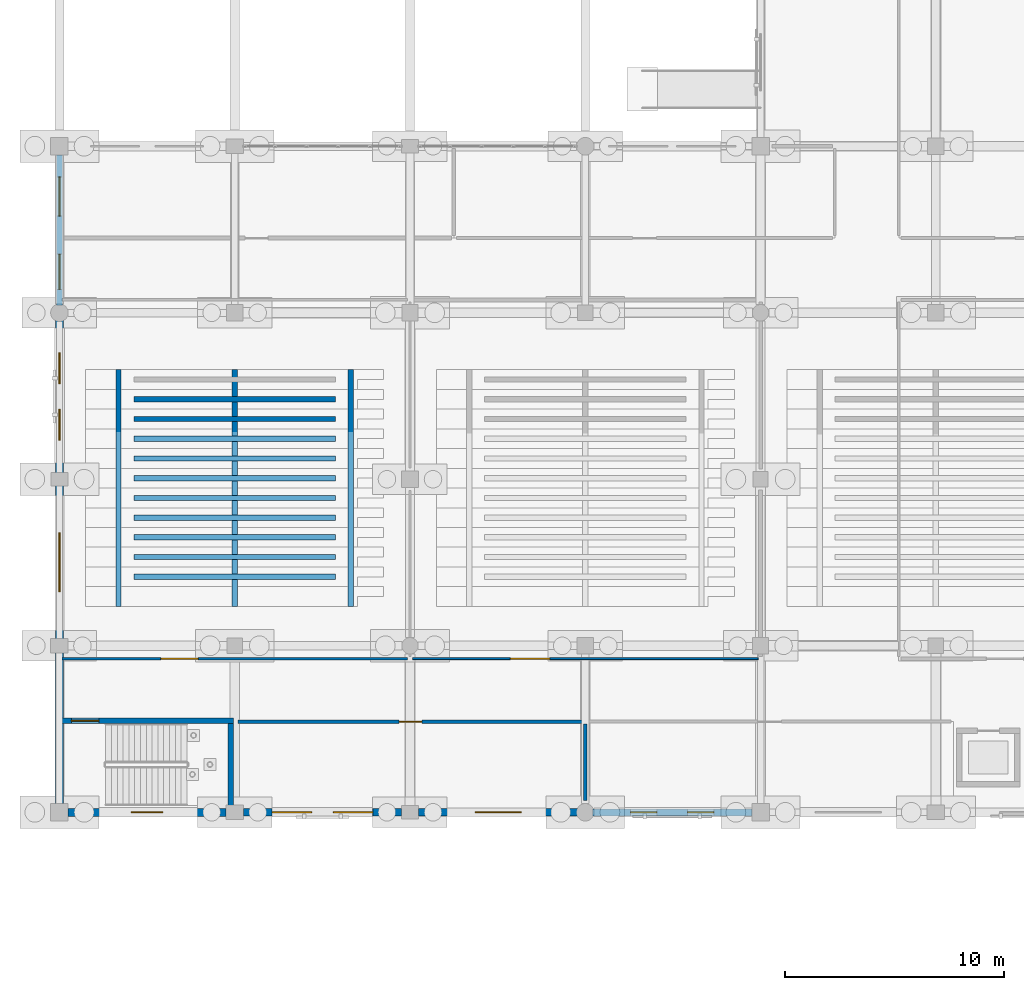
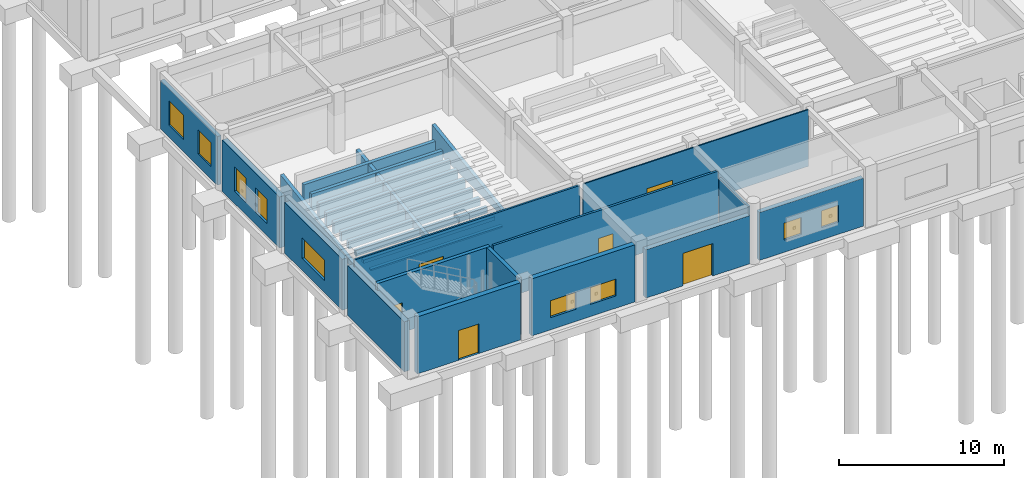
# One storey, part 127 of 166: 27 walls, 9 windows, 6 doors, 15 openings.
"""IFC4 building model written with IfcOpenShell, lengths in metres."""

from ifc_helpers import new_model, si_unit, direction, frame, frame_2d, origin, place, context, subcontext, project, spatial, polyline, rectangle, outline, extrude, material, layer, layer_set, type_object, element, fill, save


model = new_model("IFC4")

# Units and contexts
model_context = context("Model", 3, precision=1e-05, world=origin(), true_north=direction((0.0, 1.0)))
body_context = subcontext(model_context, "Body", "Model", "MODEL_VIEW")
ifc_project = project(units=[si_unit("LENGTHUNIT", "METRE"), si_unit("AREAUNIT", "SQUARE_METRE"), si_unit("VOLUMEUNIT", "CUBIC_METRE"), si_unit("PLANEANGLEUNIT", "RADIAN"), si_unit("MASSUNIT", "GRAM", prefix="KILO")], contexts=[model_context])

# Site, building, storey
site_placement = place(None, origin())
site = spatial("IfcSite", under=ifc_project, at=site_placement, CompositionType="ELEMENT")
building_placement = place(site_placement, origin())
building = spatial("IfcBuilding", under=site, at=building_placement, Name="Kharva Crest Polytechnic", CompositionType="ELEMENT")
storey_placement = place(building_placement, origin())
storey = spatial("IfcBuildingStorey", under=building, at=storey_placement, Name="L00", CompositionType="ELEMENT", Elevation=0.0)

# Wall, openings, windows
ifc_material_1 = material(Name="Kiln brick masonry", Category="masonry")
ifc_layer_1 = layer(ifc_material_1, 0.260009765625, Name="Kiln brick masonry")
ifc_layer_set_1 = layer_set([ifc_layer_1], Name="Kiln brick masonry")
wall_type_1 = type_object("IfcWallType", Name="WL-EXT-BRK-260", PredefinedType="SOLIDWALL", material=ifc_layer_set_1)
wall_1_placement = place(storey_placement, frame((0.0, 30.0048828125, 0.0), z_axis=(0.0, 0.0, 1.0), x_axis=(0.0, -1.0, 0.0)))
wall_1 = element("IfcWall", 1, at=wall_1_placement, inside=storey, type_object=wall_type_1, Name="L00 Exterior Brick Wall 42", PredefinedType="SOLIDWALL", context=body_context, shape_type="SweptSolid", body=[
    extrude(rectangle(XDim=6.868896484375, YDim=0.260009765625, at=frame_2d((3.4345703125, 0.0))), origin(), (0.0, 0.0, 1.0), 3.60009765625),
])
opening_1_placement = place(wall_1_placement, frame((0.998046875, 0.0, 0.89990234375)))
opening_1 = element("IfcOpeningElement", 2, at=opening_1_placement, cuts=wall_1, Name="Opening W05", PredefinedType="OPENING", context=body_context, shape_type="SweptSolid", body=[
    extrude(rectangle(XDim=1.800048828125, YDim=1.800048828125, at=frame_2d((0.89990234375, 0.89990234375))), frame((0.0, 0.139892578125, 0.0), z_axis=(0.0, -1.0, 0.0), x_axis=(1.0, 0.0, 0.0)), (0.0, 0.0, 1.0), 0.280029296875),
])
opening_2_placement = place(wall_1_placement, frame((4.531982421875, 0.0, 0.89990234375)))
opening_2 = element("IfcOpeningElement", 3, at=opening_2_placement, cuts=wall_1, Name="Opening W06", PredefinedType="OPENING", context=body_context, shape_type="SweptSolid", body=[
    extrude(rectangle(XDim=1.60009765625, YDim=1.800048828125, at=frame_2d((0.800048828125, 0.89990234375))), frame((0.0, 0.139892578125, 0.0), z_axis=(0.0, -1.0, 0.0), x_axis=(1.0, 0.0, 0.0)), (0.0, 0.0, 1.0), 0.280029296875),
])
ifc_material_2 = material(Name="Anodised aluminium", Category="aluminium")
window_type_1 = type_object("IfcWindowType", Name="WIN-ALU-1600X1800", PartitioningType="SINGLE_PANEL", PredefinedType="WINDOW", material=ifc_material_2)
window_1_placement = place(opening_2_placement, origin())
window_1 = element("IfcWindow", 4, at=window_1_placement, inside=storey, type_object=window_type_1, Name="L00 Exterior Window 53", OverallHeight=1.800048828125, OverallWidth=1.60009765625, PartitioningType="SINGLE_PANEL", PredefinedType="WINDOW", context=body_context, shape_type="SweptSolid", body=[
    extrude(rectangle(XDim=1.60009765625, YDim=1.800048828125, at=frame_2d((0.800048828125, 0.89990234375))), frame((0.0, 0.030029296875, 0.0), z_axis=(0.0, -1.0, 0.0), x_axis=(1.0, 0.0, 0.0)), (0.0, 0.0, 1.0), 0.06005859375),
])
fill(opening_2, window_1)
window_type_2 = type_object("IfcWindowType", Name="WIN-ALU-1800X1800", PartitioningType="SINGLE_PANEL", PredefinedType="WINDOW", material=ifc_material_2)
window_2_placement = place(opening_1_placement, origin())
window_2 = element("IfcWindow", 5, at=window_2_placement, inside=storey, type_object=window_type_2, Name="L00 Exterior Window 52", OverallHeight=1.800048828125, OverallWidth=1.800048828125, PartitioningType="SINGLE_PANEL", PredefinedType="WINDOW", context=body_context, shape_type="SweptSolid", body=[
    extrude(rectangle(XDim=1.800048828125, YDim=1.800048828125, at=frame_2d((0.89990234375, 0.89990234375))), frame((0.0, 0.030029296875, 0.0), z_axis=(0.0, -1.0, 0.0), x_axis=(1.0, 0.0, 0.0)), (0.0, 0.0, 1.0), 0.06005859375),
])
fill(opening_1, window_2)

ifc_layer_2 = layer(ifc_material_1, 0.320068359375, Name="Kiln brick masonry")
ifc_layer_set_2 = layer_set([ifc_layer_2], Name="Kiln brick masonry")
wall_type_2 = type_object("IfcWallType", Name="WL-EXT-BRK-320", PredefinedType="SOLIDWALL", material=ifc_layer_set_2)
wall_2_placement = place(storey_placement, frame((24.3359375, 0.0, 0.0), z_axis=(0.0, 0.0, 1.0), x_axis=(1.0, 0.0, 0.0)))
wall_2 = element("IfcWall", 6, at=wall_2_placement, inside=storey, type_object=wall_type_2, Name="L00 Exterior Brick Wall 15", PredefinedType="SOLIDWALL", context=body_context, shape_type="SweptSolid", body=[
    extrude(rectangle(XDim=7.26904296875, YDim=0.320068359375, at=frame_2d((3.634521484375, 0.0))), origin(), (0.0, 0.0, 1.0), 3.5400390625),
])
opening_3_placement = place(wall_2_placement, frame((1.72998046875, 0.0, 0.89990234375)))
opening_3 = element("IfcOpeningElement", 7, at=opening_3_placement, cuts=wall_2, Name="Opening W21", PredefinedType="OPENING", context=body_context, shape_type="SweptSolid", body=[
    extrude(rectangle(XDim=1.199951171875, YDim=1.25, at=frame_2d((0.60009765625, 0.625))), frame((0.0, 0.169921875, 0.0), z_axis=(0.0, -1.0, 0.0), x_axis=(1.0, 0.0, 0.0)), (0.0, 0.0, 1.0), 0.340087890625),
])
opening_4_placement = place(wall_2_placement, frame((4.339111328125, 0.0, 0.89990234375)))
opening_4 = element("IfcOpeningElement", 8, at=opening_4_placement, cuts=wall_2, Name="Opening W21", PredefinedType="OPENING", context=body_context, shape_type="SweptSolid", body=[
    extrude(rectangle(XDim=1.199951171875, YDim=1.25, at=frame_2d((0.60009765625, 0.625))), frame((0.0, 0.169921875, 0.0), z_axis=(0.0, -1.0, 0.0), x_axis=(1.0, 0.0, 0.0)), (0.0, 0.0, 1.0), 0.340087890625),
])
window_type_3 = type_object("IfcWindowType", Name="WIN-ALU-1200X1250", PartitioningType="SINGLE_PANEL", PredefinedType="WINDOW", material=ifc_material_2)
window_3_placement = place(opening_3_placement, origin())
window_3 = element("IfcWindow", 9, at=window_3_placement, inside=storey, type_object=window_type_3, Name="L00 Exterior Window 20", OverallHeight=1.25, OverallWidth=1.199951171875, PartitioningType="SINGLE_PANEL", PredefinedType="WINDOW", context=body_context, shape_type="SweptSolid", body=[
    extrude(rectangle(XDim=1.199951171875, YDim=1.25, at=frame_2d((0.60009765625, 0.625))), frame((0.0, 0.030029296875, 0.0), z_axis=(0.0, -1.0, 0.0), x_axis=(1.0, 0.0, 0.0)), (0.0, 0.0, 1.0), 0.06005859375),
])
fill(opening_3, window_3)
window_4_placement = place(opening_4_placement, origin())
window_4 = element("IfcWindow", 10, at=window_4_placement, inside=storey, type_object=window_type_3, Name="L00 Exterior Window 21", OverallHeight=1.25, OverallWidth=1.199951171875, PartitioningType="SINGLE_PANEL", PredefinedType="WINDOW", context=body_context, shape_type="SweptSolid", body=[
    extrude(rectangle(XDim=1.199951171875, YDim=1.25, at=frame_2d((0.60009765625, 0.625))), frame((0.0, 0.030029296875, 0.0), z_axis=(0.0, -1.0, 0.0), x_axis=(1.0, 0.0, 0.0)), (0.0, 0.0, 1.0), 0.06005859375),
])
fill(opening_4, window_4)

# Wall, opening, door
ifc_layer_3 = layer(ifc_material_1, 0.3349609375, Name="Kiln brick masonry")
ifc_layer_set_3 = layer_set([ifc_layer_3], Name="Kiln brick masonry")
wall_type_3 = type_object("IfcWallType", Name="WL-EXT-BRK-335", PredefinedType="SOLIDWALL", material=ifc_layer_set_3)
wall_3_placement = place(storey_placement, frame((16.385009765625, 0.0, 0.0), z_axis=(0.0, 0.0, 1.0), x_axis=(1.0, 0.0, 0.0)))
wall_3 = element("IfcWall", 11, at=wall_3_placement, inside=storey, type_object=wall_type_3, Name="L00 Exterior Brick Wall 14", PredefinedType="SOLIDWALL", context=body_context, shape_type="SweptSolid", body=[
    extrude(rectangle(XDim=7.279052734375, YDim=0.3349609375, at=frame_2d((3.6396484375, 0.0))), origin(), (0.0, 0.0, 1.0), 3.570068359375),
])
opening_5_placement = place(wall_3_placement, frame((2.590087890625, 0.0, 0.0)))
opening_5 = element("IfcOpeningElement", 12, at=opening_5_placement, cuts=wall_3, Name="Opening ED1", PredefinedType="OPENING", context=body_context, shape_type="SweptSolid", body=[
    extrude(rectangle(XDim=2.10009765625, YDim=2.39990234375, at=frame_2d((1.050048828125, 1.199951171875))), frame((0.0, 0.177490234375, 0.0), z_axis=(0.0, -1.0, 0.0), x_axis=(1.0, 0.0, 0.0)), (0.0, 0.0, 1.0), 0.35498046875),
])
door_type_1 = type_object("IfcDoorType", Name="DR-EXT-DBL-2100X2400", OperationType="NOTDEFINED", PredefinedType="DOOR", material=ifc_material_2)
door_1_placement = place(opening_5_placement, frame((2.10009765625, 0.0, 0.0), z_axis=(0.0, 0.0, 1.0), x_axis=(-1.0, 0.0, 0.0)))
door_1 = element("IfcDoor", 13, at=door_1_placement, inside=storey, type_object=door_type_1, Name="L00 Campus Entrance Door 4", OperationType="DOUBLE_DOOR_SINGLE_SWING", OverallHeight=2.39990234375, OverallWidth=2.10009765625, PredefinedType="DOOR", context=body_context, shape_type="SweptSolid", body=[
    extrude(rectangle(XDim=2.10009765625, YDim=2.39990234375, at=frame_2d((1.050048828125, 1.199951171875))), frame((0.0, 0.02490234375, 0.0), z_axis=(0.0, -1.0, 0.0), x_axis=(1.0, 0.0, 0.0)), (0.0, 0.0, 1.0), 0.050048828125),
])
fill(opening_5, door_1)

# Wall, openings, windows
ifc_layer_4 = layer(ifc_material_1, 0.35009765625, Name="Kiln brick masonry")
ifc_layer_set_4 = layer_set([ifc_layer_4], Name="Kiln brick masonry")
wall_type_4 = type_object("IfcWallType", Name="WL-EXT-BRK-350", PredefinedType="SOLIDWALL", material=ifc_layer_set_4)
wall_4_placement = place(storey_placement, frame((8.39501953125, 0.0, 0.0), z_axis=(0.0, 0.0, 1.0), x_axis=(1.0, 0.0, 0.0)))
wall_4 = element("IfcWall", 14, at=wall_4_placement, inside=storey, type_object=wall_type_4, Name="L00 Exterior Brick Wall 13", PredefinedType="SOLIDWALL", context=body_context, shape_type="SweptSolid", body=[
    extrude(rectangle(XDim=7.219970703125, YDim=0.35009765625, at=frame_2d((3.60986328125, 0.0))), origin(), (0.0, 0.0, 1.0), 4.219970703125),
])
opening_6_placement = place(wall_4_placement, frame((1.31298828125, 0.0, 0.89990234375)))
opening_6 = element("IfcOpeningElement", 15, at=opening_6_placement, cuts=wall_4, Name="Opening W19", PredefinedType="OPENING", context=body_context, shape_type="SweptSolid", body=[
    extrude(rectangle(XDim=1.800048828125, YDim=1.25, at=frame_2d((0.89990234375, 0.625))), frame((0.0, 0.18505859375, 0.0), z_axis=(0.0, -1.0, 0.0), x_axis=(1.0, 0.0, 0.0)), (0.0, 0.0, 1.0), 0.3701171875),
])
opening_7_placement = place(wall_4_placement, frame((4.10693359375, 0.0, 0.89990234375)))
opening_7 = element("IfcOpeningElement", 16, at=opening_7_placement, cuts=wall_4, Name="Opening W19", PredefinedType="OPENING", context=body_context, shape_type="SweptSolid", body=[
    extrude(rectangle(XDim=1.800048828125, YDim=1.25, at=frame_2d((0.89990234375, 0.625))), frame((0.0, 0.18505859375, 0.0), z_axis=(0.0, -1.0, 0.0), x_axis=(1.0, 0.0, 0.0)), (0.0, 0.0, 1.0), 0.3701171875),
])
window_type_4 = type_object("IfcWindowType", Name="WIN-ALU-1800X1250", PartitioningType="SINGLE_PANEL", PredefinedType="WINDOW", material=ifc_material_2)
window_5_placement = place(opening_6_placement, origin())
window_5 = element("IfcWindow", 17, at=window_5_placement, inside=storey, type_object=window_type_4, Name="L00 Exterior Window 18", OverallHeight=1.25, OverallWidth=1.800048828125, PartitioningType="SINGLE_PANEL", PredefinedType="WINDOW", context=body_context, shape_type="SweptSolid", body=[
    extrude(rectangle(XDim=1.800048828125, YDim=1.25, at=frame_2d((0.89990234375, 0.625))), frame((0.0, 0.030029296875, 0.0), z_axis=(0.0, -1.0, 0.0), x_axis=(1.0, 0.0, 0.0)), (0.0, 0.0, 1.0), 0.06005859375),
])
fill(opening_6, window_5)
window_6_placement = place(opening_7_placement, origin())
window_6 = element("IfcWindow", 18, at=window_6_placement, inside=storey, type_object=window_type_4, Name="L00 Exterior Window 19", OverallHeight=1.25, OverallWidth=1.800048828125, PartitioningType="SINGLE_PANEL", PredefinedType="WINDOW", context=body_context, shape_type="SweptSolid", body=[
    extrude(rectangle(XDim=1.800048828125, YDim=1.25, at=frame_2d((0.89990234375, 0.625))), frame((0.0, 0.030029296875, 0.0), z_axis=(0.0, -1.0, 0.0), x_axis=(1.0, 0.0, 0.0)), (0.0, 0.0, 1.0), 0.06005859375),
])
fill(opening_7, window_6)

# Wall
wall_5_placement = place(storey_placement, frame((0.0, 7.280029296875, 0.0), z_axis=(0.0, 0.0, 1.0), x_axis=(0.0, -1.0, 0.0)))
element("IfcWall", 19, at=wall_5_placement, inside=storey, type_object=wall_type_4, Name="L00 Exterior Brick Wall 45", PredefinedType="SOLIDWALL", context=body_context, shape_type="SweptSolid", body=[
    extrude(rectangle(XDim=6.885009765625, YDim=0.35009765625, at=frame_2d((3.4423828125, 0.0))), origin(), (0.0, 0.0, 1.0), 3.699951171875),
])

# Wall, opening, door
ifc_layer_5 = layer(ifc_material_1, 0.364990234375, Name="Kiln brick masonry")
ifc_layer_set_5 = layer_set([ifc_layer_5], Name="Kiln brick masonry")
wall_type_5 = type_object("IfcWallType", Name="WL-EXT-BRK-365", PredefinedType="SOLIDWALL", material=ifc_layer_set_5)
wall_6_placement = place(storey_placement, frame((0.39501953125, 0.0, 0.0), z_axis=(0.0, 0.0, 1.0), x_axis=(1.0, 0.0, 0.0)))
wall_6 = element("IfcWall", 20, at=wall_6_placement, inside=storey, type_object=wall_type_5, Name="L00 Exterior Brick Wall 12", PredefinedType="SOLIDWALL", context=body_context, shape_type="SweptSolid", body=[
    extrude(rectangle(XDim=7.2099609375, YDim=0.364990234375, at=frame_2d((3.60498046875, 0.0))), origin(), (0.0, 0.0, 1.0), 4.219970703125),
])
opening_8_placement = place(wall_6_placement, frame((2.8798828125, 0.0, 0.0)))
opening_8 = element("IfcOpeningElement", 21, at=opening_8_placement, cuts=wall_6, Name="Opening ED5", PredefinedType="OPENING", context=body_context, shape_type="SweptSolid", body=[
    extrude(rectangle(XDim=1.449951171875, YDim=2.199951171875, at=frame_2d((0.72509765625, 1.10009765625))), frame((0.0, 0.1923828125, 0.0), z_axis=(0.0, -1.0, 0.0), x_axis=(1.0, 0.0, 0.0)), (0.0, 0.0, 1.0), 0.385009765625),
])
door_type_2 = type_object("IfcDoorType", Name="DR-EXT-ESC-1450X2200", OperationType="NOTDEFINED", PredefinedType="DOOR", material=ifc_material_2)
door_2_placement = place(opening_8_placement, frame((1.449951171875, 0.0, 0.0), z_axis=(0.0, 0.0, 1.0), x_axis=(-1.0, 0.0, 0.0)))
door_2 = element("IfcDoor", 22, at=door_2_placement, inside=storey, type_object=door_type_2, Name="L00 Core C10 Final Exit Door", OperationType="SINGLE_SWING_LEFT", OverallHeight=2.199951171875, OverallWidth=1.449951171875, PredefinedType="DOOR", context=body_context, shape_type="SweptSolid", body=[
    extrude(rectangle(XDim=1.449951171875, YDim=2.199951171875, at=frame_2d((0.72509765625, 1.10009765625))), frame((0.0, 0.02490234375, 0.0), z_axis=(0.0, -1.0, 0.0), x_axis=(1.0, 0.0, 0.0)), (0.0, 0.0, 1.0), 0.050048828125),
])
fill(opening_8, door_2)

# Wall, opening, window
wall_7_placement = place(storey_placement, frame((0.0, 14.905029296875, 0.0), z_axis=(0.0, 0.0, 1.0), x_axis=(0.0, -1.0, 0.0)))
wall_7 = element("IfcWall", 23, at=wall_7_placement, inside=storey, type_object=wall_type_5, Name="L00 Exterior Brick Wall 44", PredefinedType="SOLIDWALL", context=body_context, shape_type="SweptSolid", body=[
    extrude(rectangle(XDim=6.985107421875, YDim=0.364990234375, at=frame_2d((3.49267578125, 0.0))), origin(), (0.0, 0.0, 1.0), 3.760009765625),
])
opening_9_placement = place(wall_7_placement, frame((2.14208984375, 0.0, 0.89990234375)))
opening_9 = element("IfcOpeningElement", 24, at=opening_9_placement, cuts=wall_7, Name="Opening W09", PredefinedType="OPENING", context=body_context, shape_type="SweptSolid", body=[
    extrude(rectangle(XDim=2.699951171875, YDim=1.5, at=frame_2d((1.35009765625, 0.75))), frame((0.0, 0.1923828125, 0.0), z_axis=(0.0, -1.0, 0.0), x_axis=(1.0, 0.0, 0.0)), (0.0, 0.0, 1.0), 0.385009765625),
])
window_type_5 = type_object("IfcWindowType", Name="WIN-ALU-2700X1500", PartitioningType="SINGLE_PANEL", PredefinedType="WINDOW", material=ifc_material_2)
window_7_placement = place(opening_9_placement, origin())
window_7 = element("IfcWindow", 25, at=window_7_placement, inside=storey, type_object=window_type_5, Name="L00 Exterior Window 56", OverallHeight=1.5, OverallWidth=2.699951171875, PartitioningType="SINGLE_PANEL", PredefinedType="WINDOW", context=body_context, shape_type="SweptSolid", body=[
    extrude(rectangle(XDim=2.699951171875, YDim=1.5, at=frame_2d((1.35009765625, 0.75))), frame((0.0, 0.030029296875, 0.0), z_axis=(0.0, -1.0, 0.0), x_axis=(1.0, 0.0, 0.0)), (0.0, 0.0, 1.0), 0.06005859375),
])
fill(opening_9, window_7)

# Wall, openings, windows
ifc_layer_6 = layer(ifc_material_1, 0.3798828125, Name="Kiln brick masonry")
ifc_layer_set_6 = layer_set([ifc_layer_6], Name="Kiln brick masonry")
wall_type_6 = type_object("IfcWallType", Name="WL-EXT-BRK-380", PredefinedType="SOLIDWALL", material=ifc_layer_set_6)
wall_8_placement = place(storey_placement, frame((0.0, 22.464111328125, 0.0), z_axis=(0.0, 0.0, 1.0), x_axis=(0.0, -1.0, 0.0)))
wall_8 = element("IfcWall", 26, at=wall_8_placement, inside=storey, type_object=wall_type_6, Name="L00 Exterior Brick Wall 43", PredefinedType="SOLIDWALL", context=body_context, shape_type="SweptSolid", body=[
    extrude(rectangle(XDim=6.968994140625, YDim=0.3798828125, at=frame_2d((3.484375, 0.0))), origin(), (0.0, 0.0, 1.0), 3.780029296875),
])
opening_10_placement = place(wall_8_placement, frame((1.49609375, 0.0, 0.89990234375)))
opening_10 = element("IfcOpeningElement", 27, at=opening_10_placement, cuts=wall_8, Name="Opening W07", PredefinedType="OPENING", context=body_context, shape_type="SweptSolid", body=[
    extrude(rectangle(XDim=1.39990234375, YDim=1.800048828125, at=frame_2d((0.699951171875, 0.89990234375))), frame((0.0, 0.199951171875, 0.0), z_axis=(0.0, -1.0, 0.0), x_axis=(1.0, 0.0, 0.0)), (0.0, 0.0, 1.0), 0.39990234375),
])
opening_11_placement = place(wall_8_placement, frame((4.072998046875, 0.0, 0.89990234375)))
opening_11 = element("IfcOpeningElement", 28, at=opening_11_placement, cuts=wall_8, Name="Opening W07", PredefinedType="OPENING", context=body_context, shape_type="SweptSolid", body=[
    extrude(rectangle(XDim=1.39990234375, YDim=1.800048828125, at=frame_2d((0.699951171875, 0.89990234375))), frame((0.0, 0.199951171875, 0.0), z_axis=(0.0, -1.0, 0.0), x_axis=(1.0, 0.0, 0.0)), (0.0, 0.0, 1.0), 0.39990234375),
])
window_type_6 = type_object("IfcWindowType", Name="WIN-ALU-1400X1800", PartitioningType="SINGLE_PANEL", PredefinedType="WINDOW", material=ifc_material_2)
window_8_placement = place(opening_10_placement, origin())
window_8 = element("IfcWindow", 29, at=window_8_placement, inside=storey, type_object=window_type_6, Name="L00 Exterior Window 54", OverallHeight=1.800048828125, OverallWidth=1.39990234375, PartitioningType="SINGLE_PANEL", PredefinedType="WINDOW", context=body_context, shape_type="SweptSolid", body=[
    extrude(rectangle(XDim=1.39990234375, YDim=1.800048828125, at=frame_2d((0.699951171875, 0.89990234375))), frame((0.0, 0.030029296875, 0.0), z_axis=(0.0, -1.0, 0.0), x_axis=(1.0, 0.0, 0.0)), (0.0, 0.0, 1.0), 0.06005859375),
])
fill(opening_10, window_8)
window_9_placement = place(opening_11_placement, origin())
window_9 = element("IfcWindow", 30, at=window_9_placement, inside=storey, type_object=window_type_6, Name="L00 Exterior Window 55", OverallHeight=1.800048828125, OverallWidth=1.39990234375, PartitioningType="SINGLE_PANEL", PredefinedType="WINDOW", context=body_context, shape_type="SweptSolid", body=[
    extrude(rectangle(XDim=1.39990234375, YDim=1.800048828125, at=frame_2d((0.699951171875, 0.89990234375))), frame((0.0, 0.030029296875, 0.0), z_axis=(0.0, -1.0, 0.0), x_axis=(1.0, 0.0, 0.0)), (0.0, 0.0, 1.0), 0.06005859375),
])
fill(opening_11, window_9)

# Wall, opening, door
ifc_layer_7 = layer(ifc_material_1, 0.090087890625, Name="Kiln brick masonry")
ifc_layer_set_7 = layer_set([ifc_layer_7], Name="Kiln brick masonry")
wall_type_7 = type_object("IfcWallType", Name="WL-PART-090", PredefinedType="PARTITIONING", material=ifc_layer_set_7)
wall_9_placement = place(storey_placement, frame((16.1201171875, 7.010009765625, 0.0), z_axis=(0.0, 0.0, 1.0), x_axis=(1.0, 0.0, 0.0)))
wall_9 = element("IfcWall", 31, at=wall_9_placement, inside=storey, type_object=wall_type_7, Name="L00 Interior Partition 49", PredefinedType="PARTITIONING", context=body_context, shape_type="SweptSolid", body=[
    extrude(rectangle(XDim=15.769775390625, YDim=0.090087890625, at=frame_2d((7.884765625, 0.0))), origin(), (0.0, 0.0, 1.0), 4.199951171875),
])
opening_12_placement = place(wall_9_placement, frame((4.4619140625, 0.0, 0.0)))
opening_12 = element("IfcOpeningElement", 32, at=opening_12_placement, cuts=wall_9, Name="Opening ID1", PredefinedType="OPENING", context=body_context, shape_type="SweptSolid", body=[
    extrude(rectangle(XDim=1.800048828125, YDim=2.300048828125, at=frame_2d((0.89990234375, 1.14990234375))), frame((0.0, 0.054931640625, 0.0), z_axis=(0.0, -1.0, 0.0), x_axis=(1.0, 0.0, 0.0)), (0.0, 0.0, 1.0), 0.110107421875),
])
ifc_material_3 = material(Name="Teak timber", Category="wood")
door_type_3 = type_object("IfcDoorType", Name="DR-LECT-DBL-1800X2300", OperationType="NOTDEFINED", PredefinedType="DOOR", material=ifc_material_3)
door_3_placement = place(opening_12_placement, origin())
door_3 = element("IfcDoor", 33, at=door_3_placement, inside=storey, type_object=door_type_3, Name="L00 Lecture Theatre 2 Door", OperationType="DOUBLE_DOOR_SINGLE_SWING", OverallHeight=2.300048828125, OverallWidth=1.800048828125, PredefinedType="DOOR", context=body_context, shape_type="SweptSolid", body=[
    extrude(rectangle(XDim=1.800048828125, YDim=2.300048828125, at=frame_2d((0.89990234375, 1.14990234375))), frame((0.0, 0.02490234375, 0.0), z_axis=(0.0, -1.0, 0.0), x_axis=(1.0, 0.0, 0.0)), (0.0, 0.0, 1.0), 0.050048828125),
])
fill(opening_12, door_3)

ifc_layer_8 = layer(ifc_material_1, 0.1298828125, Name="Kiln brick masonry")
ifc_layer_set_8 = layer_set([ifc_layer_8], Name="Kiln brick masonry")
wall_type_8 = type_object("IfcWallType", Name="WL-PART-130", PredefinedType="PARTITIONING", material=ifc_layer_set_8)
wall_10_placement = place(storey_placement, frame((0.110107421875, 7.010009765625, 0.0), z_axis=(0.0, 0.0, 1.0), x_axis=(1.0, 0.0, 0.0)))
wall_10 = element("IfcWall", 34, at=wall_10_placement, inside=storey, type_object=wall_type_8, Name="L00 Interior Partition 45", PredefinedType="PARTITIONING", context=body_context, shape_type="SweptSolid", body=[
    extrude(rectangle(XDim=15.77978515625, YDim=0.1298828125, at=frame_2d((7.889892578125, 0.0))), origin(), (0.0, 0.0, 1.0), 4.199951171875),
])
opening_13_placement = place(wall_10_placement, frame((4.514892578125, 0.0, 0.0)))
opening_13 = element("IfcOpeningElement", 35, at=opening_13_placement, cuts=wall_10, Name="Opening ID2", PredefinedType="OPENING", context=body_context, shape_type="SweptSolid", body=[
    extrude(rectangle(XDim=1.699951171875, YDim=2.300048828125, at=frame_2d((0.85009765625, 1.14990234375))), frame((0.0, 0.074951171875, 0.0), z_axis=(0.0, -1.0, 0.0), x_axis=(1.0, 0.0, 0.0)), (0.0, 0.0, 1.0), 0.14990234375),
])
door_type_4 = type_object("IfcDoorType", Name="DR-LECT-DBL-1700X2300", OperationType="NOTDEFINED", PredefinedType="DOOR", material=ifc_material_3)
door_4_placement = place(opening_13_placement, origin())
door_4 = element("IfcDoor", 36, at=door_4_placement, inside=storey, type_object=door_type_4, Name="L00 Lecture Theatre 1 Door", OperationType="DOUBLE_DOOR_SINGLE_SWING", OverallHeight=2.300048828125, OverallWidth=1.699951171875, PredefinedType="DOOR", context=body_context, shape_type="SweptSolid", body=[
    extrude(rectangle(XDim=1.699951171875, YDim=2.300048828125, at=frame_2d((0.85009765625, 1.14990234375))), frame((0.0, 0.02490234375, 0.0), z_axis=(0.0, -1.0, 0.0), x_axis=(1.0, 0.0, 0.0)), (0.0, 0.0, 1.0), 0.050048828125),
])
fill(opening_13, door_4)

# Wall
ifc_layer_9 = layer(ifc_material_1, 0.14990234375, Name="Kiln brick masonry")
ifc_layer_set_9 = layer_set([ifc_layer_9], Name="Kiln brick masonry")
wall_type_9 = type_object("IfcWallType", Name="WL-PART-150", PredefinedType="PARTITIONING", material=ifc_layer_set_9)
wall_11_placement = place(storey_placement, frame((24.0, 0.530029296875, 0.0), z_axis=(0.0, 0.0, 1.0), x_axis=(0.0, 1.0, 0.0)))
element("IfcWall", 37, at=wall_11_placement, inside=storey, type_object=wall_type_9, Name="L00 Interior Partition 43", PredefinedType="PARTITIONING", context=body_context, shape_type="SweptSolid", body=[
    extrude(rectangle(XDim=3.5, YDim=0.14990234375, at=frame_2d((1.75, 0.0))), origin(), (0.0, 0.0, 1.0), 3.699951171875),
])

# Wall, opening, door
ifc_layer_10 = layer(ifc_material_1, 0.159912109375, Name="Kiln brick masonry")
ifc_layer_set_10 = layer_set([ifc_layer_10], Name="Kiln brick masonry")
wall_type_10 = type_object("IfcWallType", Name="WL-PART-160", PredefinedType="PARTITIONING", material=ifc_layer_set_10)
wall_12_placement = place(storey_placement, frame((8.159912109375, 4.139892578125, 0.0), z_axis=(0.0, 0.0, 1.0), x_axis=(1.0, 0.0, 0.0)))
wall_12 = element("IfcWall", 38, at=wall_12_placement, inside=storey, type_object=wall_type_10, Name="L00 Interior Partition 42", PredefinedType="PARTITIONING", context=body_context, shape_type="SweptSolid", body=[
    extrude(rectangle(XDim=15.72998046875, YDim=0.159912109375, at=frame_2d((7.864990234375, 0.0))), origin(), (0.0, 0.0, 1.0), 4.199951171875),
])
opening_14_placement = place(wall_12_placement, frame((7.344970703125, 0.0, 0.0)))
opening_14 = element("IfcOpeningElement", 39, at=opening_14_placement, cuts=wall_12, Name="Opening ID11", PredefinedType="OPENING", context=body_context, shape_type="SweptSolid", body=[
    extrude(rectangle(XDim=1.0400390625, YDim=2.14990234375, at=frame_2d((0.52001953125, 1.074951171875))), frame((0.0, 0.08984375, 0.0), z_axis=(0.0, -1.0, 0.0), x_axis=(1.0, 0.0, 0.0)), (0.0, 0.0, 1.0), 0.179931640625),
])
door_type_5 = type_object("IfcDoorType", Name="DR-CLS-1040X2150", OperationType="NOTDEFINED", PredefinedType="DOOR", material=ifc_material_3)
door_5_placement = place(opening_14_placement, origin())
door_5 = element("IfcDoor", 40, at=door_5_placement, inside=storey, type_object=door_type_5, Name="L00 Classroom L00-A Door", OperationType="SINGLE_SWING_RIGHT", OverallHeight=2.14990234375, OverallWidth=1.0400390625, PredefinedType="DOOR", context=body_context, shape_type="SweptSolid", body=[
    extrude(rectangle(XDim=1.0400390625, YDim=2.14990234375, at=frame_2d((0.52001953125, 1.074951171875))), frame((0.0, 0.02490234375, 0.0), z_axis=(0.0, -1.0, 0.0), x_axis=(1.0, 0.0, 0.0)), (0.0, 0.0, 1.0), 0.050048828125),
])
fill(opening_14, door_5)

ifc_material_4 = material(Name="Concrete C40/50", Category="concrete")
ifc_layer_11 = layer(ifc_material_4, 0.25, Name="Concrete C40/50")
ifc_layer_set_11 = layer_set([ifc_layer_11], Name="Concrete C40/50")
wall_type_11 = type_object("IfcWallType", Name="WL-SHEAR-SW1-250", PredefinedType="SHEAR", material=ifc_layer_set_11)
wall_13_placement = place(storey_placement, frame((0.050048828125, 4.18505859375, 0.0), z_axis=(0.0, 0.0, 1.0), x_axis=(1.0, 0.0, 0.0)))
wall_13 = element("IfcWall", 41, at=wall_13_placement, inside=storey, type_object=wall_type_11, Name="L00 West Lecture Wing Stair C10 North Shear Wall", PredefinedType="SHEAR", context=body_context, shape_type="SweptSolid", body=[
    extrude(rectangle(XDim=7.89990234375, YDim=0.25, at=frame_2d((3.949951171875, 0.0))), origin(), (0.0, 0.0, 1.0), 4.219970703125),
])
opening_15_placement = place(wall_13_placement, frame((0.5, 0.0, 0.0)))
opening_15 = element("IfcOpeningElement", 42, at=opening_15_placement, cuts=wall_13, Name="Opening FD1B", PredefinedType="OPENING", context=body_context, shape_type="SweptSolid", body=[
    extrude(rectangle(XDim=1.25, YDim=2.199951171875, at=frame_2d((0.625, 1.10009765625))), frame((0.0, 0.135009765625, 0.0), z_axis=(0.0, -1.0, 0.0), x_axis=(1.0, 0.0, 0.0)), (0.0, 0.0, 1.0), 0.27001953125),
])
door_type_6 = type_object("IfcDoorType", Name="DR-STAIR-1250X2200", OperationType="NOTDEFINED", PredefinedType="DOOR", material=ifc_material_3)
door_6_placement = place(opening_15_placement, origin())
door_6 = element("IfcDoor", 43, at=door_6_placement, inside=storey, type_object=door_type_6, Name="L00 ST-10 Stair Door", OperationType="SINGLE_SWING_LEFT", OverallHeight=2.199951171875, OverallWidth=1.25, PredefinedType="DOOR", context=body_context, shape_type="SweptSolid", body=[
    extrude(rectangle(XDim=1.25, YDim=2.199951171875, at=frame_2d((0.625, 1.10009765625))), frame((0.0, 0.02490234375, 0.0), z_axis=(0.0, -1.0, 0.0), x_axis=(1.0, 0.0, 0.0)), (0.0, 0.0, 1.0), 0.050048828125),
])
fill(opening_15, door_6)

# Walls
wall_14_placement = place(storey_placement, frame((7.824951171875, 0.300048828125, 0.0), z_axis=(0.0, 0.0, 1.0), x_axis=(0.0, 1.0, 0.0)))
element("IfcWall", 44, at=wall_14_placement, inside=storey, type_object=wall_type_11, Name="L00 West Lecture Wing Stair C10 East Shear Wall", PredefinedType="SHEAR", context=body_context, shape_type="SweptSolid", body=[
    extrude(rectangle(XDim=3.760009765625, YDim=0.25, at=frame_2d((1.8798828125, 0.0))), origin(), (0.0, 0.0, 1.0), 4.219970703125),
])
ifc_material_5 = material(Name="Concrete C35/45", Category="concrete")
ifc_layer_12 = layer(ifc_material_5, 0.239990234375, Name="Concrete C35/45")
ifc_layer_set_12 = layer_set([ifc_layer_12], Name="Concrete C35/45")
wall_type_12 = type_object("IfcWallType", Name="WL-TIER-CHEEK-240", PredefinedType="SOLIDWALL", material=ifc_layer_set_12)
for number, where, z_axis, x_axis, name in (
    (45, (2.699951171875, 9.39990234375, 0.0), (0.0, 0.0, 1.0), (0.0, 1.0, 0.0), "L00 Lecture Theatre 1 Tier Support Wall 1"),
    (46, (8.0, 9.39990234375, 0.0), (0.0, 0.0, 1.0), (0.0, 1.0, 0.0), "L00 Lecture Theatre 1 Tier Support Wall 2"),
    (47, (13.300048828125, 9.39990234375, 0.0), (0.0, 0.0, 1.0), (0.0, 1.0, 0.0), "L00 Lecture Theatre 1 Tier Support Wall 3"),
):
    element("IfcWall", number, at=place(storey_placement, frame(where, z_axis=z_axis, x_axis=x_axis)), inside=storey, type_object=wall_type_12, Name=name, PredefinedType="SOLIDWALL", context=body_context, shape_type="SweptSolid", body=[
        extrude(outline(polyline([(0.0, 0.0), (10.800048828125, 0.0), (10.800048828125, 1.614990234375), (0.0, 0.050048828125), (0.0, 0.0)])), frame((0.0, 0.1201171875, 0.0), z_axis=(0.0, -1.0, 0.0), x_axis=(1.0, 0.0, 0.0)), (0.0, 0.0, 1.0), 0.239990234375),
    ])
wall_15_placement = place(storey_placement, frame((3.39990234375, 10.75, 0.0), z_axis=(0.0, 0.0, 1.0), x_axis=(1.0, 0.0, 0.0)))
element("IfcWall", 48, at=wall_15_placement, inside=storey, type_object=wall_type_12, Name="L00 Lecture Theatre 1 Tier Sleeper Wall R2", PredefinedType="SOLIDWALL", context=body_context, shape_type="SweptSolid", body=[
    extrude(rectangle(XDim=9.2001953125, YDim=0.239990234375, at=frame_2d((4.60009765625, 0.0))), origin(), (0.0, 0.0, 1.0), 0.114990234375),
])
wall_16_placement = place(storey_placement, frame((3.39990234375, 11.64990234375, 0.0), z_axis=(0.0, 0.0, 1.0), x_axis=(1.0, 0.0, 0.0)))
element("IfcWall", 49, at=wall_16_placement, inside=storey, type_object=wall_type_12, Name="L00 Lecture Theatre 1 Tier Sleeper Wall R3", PredefinedType="SOLIDWALL", context=body_context, shape_type="SweptSolid", body=[
    extrude(rectangle(XDim=9.2001953125, YDim=0.239990234375, at=frame_2d((4.60009765625, 0.0))), origin(), (0.0, 0.0, 1.0), 0.264892578125),
])
wall_17_placement = place(storey_placement, frame((3.39990234375, 12.550048828125, 0.0), z_axis=(0.0, 0.0, 1.0), x_axis=(1.0, 0.0, 0.0)))
element("IfcWall", 50, at=wall_17_placement, inside=storey, type_object=wall_type_12, Name="L00 Lecture Theatre 1 Tier Sleeper Wall R4", PredefinedType="SOLIDWALL", context=body_context, shape_type="SweptSolid", body=[
    extrude(rectangle(XDim=9.2001953125, YDim=0.239990234375, at=frame_2d((4.60009765625, 0.0))), origin(), (0.0, 0.0, 1.0), 0.4150390625),
])
wall_18_placement = place(storey_placement, frame((3.39990234375, 13.449951171875, 0.0), z_axis=(0.0, 0.0, 1.0), x_axis=(1.0, 0.0, 0.0)))
element("IfcWall", 51, at=wall_18_placement, inside=storey, type_object=wall_type_12, Name="L00 Lecture Theatre 1 Tier Sleeper Wall R5", PredefinedType="SOLIDWALL", context=body_context, shape_type="SweptSolid", body=[
    extrude(rectangle(XDim=9.2001953125, YDim=0.239990234375, at=frame_2d((4.60009765625, 0.0))), origin(), (0.0, 0.0, 1.0), 0.56494140625),
])
wall_19_placement = place(storey_placement, frame((3.39990234375, 14.35009765625, 0.0), z_axis=(0.0, 0.0, 1.0), x_axis=(1.0, 0.0, 0.0)))
element("IfcWall", 52, at=wall_19_placement, inside=storey, type_object=wall_type_12, Name="L00 Lecture Theatre 1 Tier Sleeper Wall R6", PredefinedType="SOLIDWALL", context=body_context, shape_type="SweptSolid", body=[
    extrude(rectangle(XDim=9.2001953125, YDim=0.239990234375, at=frame_2d((4.60009765625, 0.0))), origin(), (0.0, 0.0, 1.0), 0.715087890625),
])
wall_20_placement = place(storey_placement, frame((3.39990234375, 15.25, 0.0), z_axis=(0.0, 0.0, 1.0), x_axis=(1.0, 0.0, 0.0)))
element("IfcWall", 53, at=wall_20_placement, inside=storey, type_object=wall_type_12, Name="L00 Lecture Theatre 1 Tier Sleeper Wall R7", PredefinedType="SOLIDWALL", context=body_context, shape_type="SweptSolid", body=[
    extrude(rectangle(XDim=9.2001953125, YDim=0.239990234375, at=frame_2d((4.60009765625, 0.0))), origin(), (0.0, 0.0, 1.0), 0.864990234375),
])
wall_21_placement = place(storey_placement, frame((3.39990234375, 16.14990234375, 0.0), z_axis=(0.0, 0.0, 1.0), x_axis=(1.0, 0.0, 0.0)))
element("IfcWall", 54, at=wall_21_placement, inside=storey, type_object=wall_type_12, Name="L00 Lecture Theatre 1 Tier Sleeper Wall R8", PredefinedType="SOLIDWALL", context=body_context, shape_type="SweptSolid", body=[
    extrude(rectangle(XDim=9.2001953125, YDim=0.239990234375, at=frame_2d((4.60009765625, 0.0))), origin(), (0.0, 0.0, 1.0), 1.014892578125),
])
wall_22_placement = place(storey_placement, frame((3.39990234375, 17.050048828125, 0.0), z_axis=(0.0, 0.0, 1.0), x_axis=(1.0, 0.0, 0.0)))
element("IfcWall", 55, at=wall_22_placement, inside=storey, type_object=wall_type_12, Name="L00 Lecture Theatre 1 Tier Sleeper Wall R9", PredefinedType="SOLIDWALL", context=body_context, shape_type="SweptSolid", body=[
    extrude(rectangle(XDim=9.2001953125, YDim=0.239990234375, at=frame_2d((4.60009765625, 0.0))), origin(), (0.0, 0.0, 1.0), 1.1650390625),
])
wall_23_placement = place(storey_placement, frame((3.39990234375, 17.949951171875, 0.0), z_axis=(0.0, 0.0, 1.0), x_axis=(1.0, 0.0, 0.0)))
element("IfcWall", 56, at=wall_23_placement, inside=storey, type_object=wall_type_12, Name="L00 Lecture Theatre 1 Tier Sleeper Wall R10", PredefinedType="SOLIDWALL", context=body_context, shape_type="SweptSolid", body=[
    extrude(rectangle(XDim=9.2001953125, YDim=0.239990234375, at=frame_2d((4.60009765625, 0.0))), origin(), (0.0, 0.0, 1.0), 1.31494140625),
])
wall_24_placement = place(storey_placement, frame((3.39990234375, 18.85009765625, 0.0), z_axis=(0.0, 0.0, 1.0), x_axis=(1.0, 0.0, 0.0)))
element("IfcWall", 57, at=wall_24_placement, inside=storey, type_object=wall_type_12, Name="L00 Lecture Theatre 1 Tier Sleeper Wall R11", PredefinedType="SOLIDWALL", context=body_context, shape_type="SweptSolid", body=[
    extrude(rectangle(XDim=9.2001953125, YDim=0.239990234375, at=frame_2d((4.60009765625, 0.0))), origin(), (0.0, 0.0, 1.0), 1.465087890625),
])

save(model, "model.ifc")
